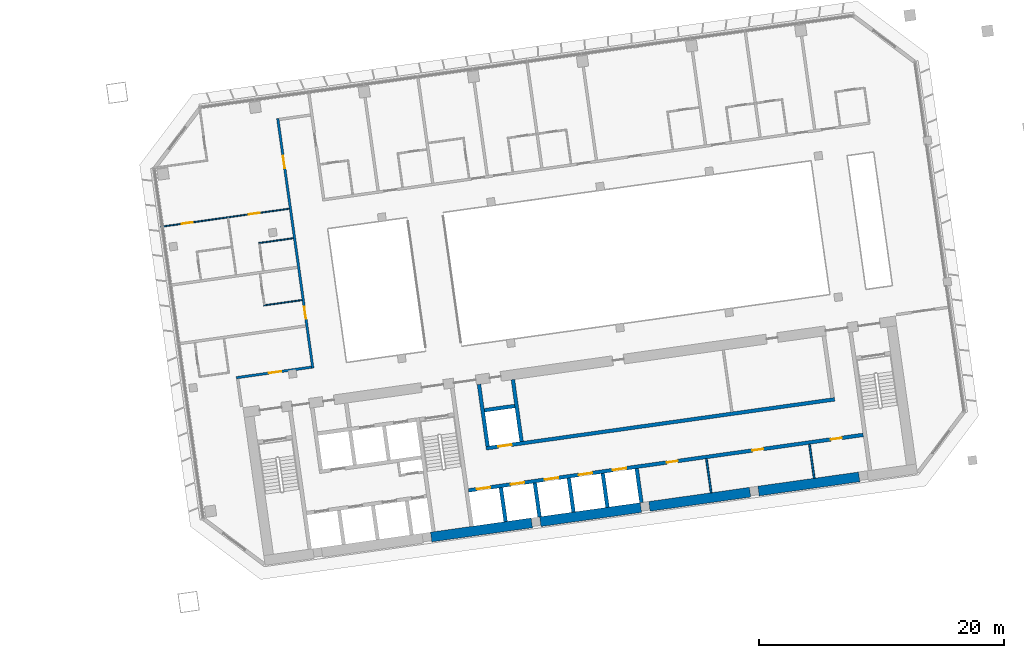
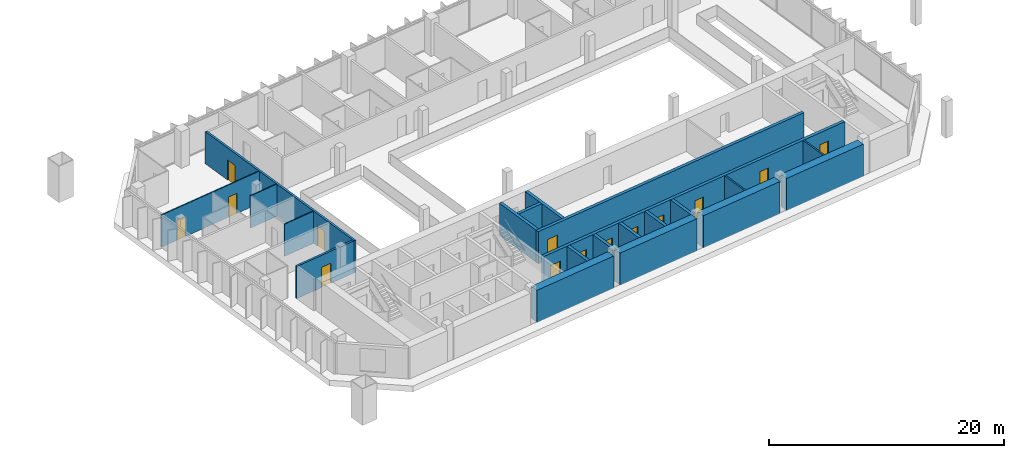
# One storey, part 21 of 26: 21 walls, 14 doors, 14 openings.
"""IFC4 building model written with IfcOpenShell, lengths in metres."""

from ifc_helpers import new_model, si_unit, direction, frame, frame_2d, origin, place, context, subcontext, project, spatial, rectangle, extrude, material, layer, layer_set, type_object, element, fill, save


model = new_model("IFC4")

# Units and contexts
model_context = context("Model", 3, precision=1e-05, world=origin(), true_north=direction((0.0, 1.0)))
body_context = subcontext(model_context, "Body", "Model", "MODEL_VIEW")
ifc_project = project(units=[si_unit("LENGTHUNIT", "METRE"), si_unit("AREAUNIT", "SQUARE_METRE"), si_unit("VOLUMEUNIT", "CUBIC_METRE"), si_unit("PLANEANGLEUNIT", "RADIAN"), si_unit("MASSUNIT", "GRAM", prefix="KILO")], contexts=[model_context])

# Site, building, storey
site_placement = place(None, origin())
site = spatial("IfcSite", under=ifc_project, at=site_placement, CompositionType="ELEMENT")
building_placement = place(site_placement, origin())
building = spatial("IfcBuilding", under=site, at=building_placement, Name="Mirante Cascada Hotel Towers", CompositionType="ELEMENT")
storey_placement = place(building_placement, frame((0.0, 0.0, 98.7)))
storey = spatial("IfcBuildingStorey", under=building, at=storey_placement, Name="L21", CompositionType="ELEMENT", Elevation=98.7)

# Wall, opening, door
ifc_material_1 = material(Name="Fire-rated plasterboard on metal studs")
ifc_layer_1 = layer(ifc_material_1, 0.2)
ifc_layer_set_1 = layer_set([ifc_layer_1], Name="Compartment wall 200 EI 120")
wall_type_1 = type_object("IfcWallType", Name="Compartment wall 200 EI 120", PredefinedType="PARTITIONING", material=ifc_layer_set_1)
wall_1_placement = place(storey_placement, frame((34.8304, -4.7545, 0.0), z_axis=(0.0, 0.0, 1.0), x_axis=(0.9902695, 0.1391629, 0.0)))
wall_1 = element("IfcWall", 1, at=wall_1_placement, inside=storey, type_object=wall_type_1, Name="Wall 2-L21-02", PredefinedType="PARTITIONING", context=body_context, shape_type="SweptSolid", body=[
    extrude(rectangle(XDim=6.1999, YDim=0.2, at=frame_2d((3.1, 0.0))), origin(), (0.0, 0.0, 1.0), 3.35),
])
opening_1_placement = place(wall_1_placement, frame((2.7, 0.0, 0.0)))
opening_1 = element("IfcOpeningElement", 2, at=opening_1_placement, cuts=wall_1, Name="Opening D2-L21-02", PredefinedType="OPENING", context=body_context, shape_type="SweptSolid", body=[
    extrude(rectangle(XDim=1.0, YDim=2.1, at=frame_2d((0.5, 1.05))), frame((0.0, 0.1, 0.0), z_axis=(0.0, -1.0, 0.0), x_axis=(1.0, 0.0, 0.0)), (0.0, 0.0, 1.0), 0.2),
])
ifc_material_2 = material(Name="Fire-rated timber door leaf", Category="wood")
door_type_1 = type_object("IfcDoorType", Name="Entrance door DG1 1000x2100 EI 60", OperationType="SINGLE_SWING_LEFT", PredefinedType="DOOR", material=ifc_material_2)
door_1_placement = place(opening_1_placement, frame((1.0, 0.0, 0.0), z_axis=(0.0, 0.0, 1.0), x_axis=(-1.0, 0.0, 0.0)))
door_1 = element("IfcDoor", 3, at=door_1_placement, inside=storey, type_object=door_type_1, Name="Door D2-L21-02", OperationType="SINGLE_SWING_RIGHT", OverallHeight=2.1, OverallWidth=1.0, PredefinedType="DOOR", context=body_context, shape_type="SweptSolid", body=[
    extrude(rectangle(XDim=1.0, YDim=2.1, at=frame_2d((0.5, 1.05))), frame((0.0, 0.025, 0.0), z_axis=(0.0, -1.0, 0.0), x_axis=(1.0, 0.0, 0.0)), (0.0, 0.0, 1.0), 0.05),
])
fill(opening_1, door_1)

# Wall, openings, doors
wall_2_placement = place(storey_placement, frame((41.083, -3.9768, 0.0), z_axis=(0.0, 0.0, 1.0), x_axis=(-0.1391749, 0.9902678, 0.0)))
wall_2 = element("IfcWall", 4, at=wall_2_placement, inside=storey, type_object=wall_type_1, Name="Wall 2-L21-28", PredefinedType="PARTITIONING", context=body_context, shape_type="SweptSolid", body=[
    extrude(rectangle(XDim=20.6, YDim=0.2, at=frame_2d((10.3, 0.0))), origin(), (0.0, 0.0, 1.0), 3.35),
])
opening_2_placement = place(wall_2_placement, frame((4.0667, 0.0, 0.0)))
opening_2 = element("IfcOpeningElement", 5, at=opening_2_placement, cuts=wall_2, Name="Opening D2-L21-26", PredefinedType="OPENING", context=body_context, shape_type="SweptSolid", body=[
    extrude(rectangle(XDim=1.0, YDim=2.1, at=frame_2d((0.5, 1.05))), frame((0.0, 0.1, 0.0), z_axis=(0.0, -1.0, 0.0), x_axis=(1.0, 0.0, 0.0)), (0.0, 0.0, 1.0), 0.2),
])
opening_3_placement = place(wall_2_placement, frame((16.5, 0.0, 0.0)))
opening_3 = element("IfcOpeningElement", 6, at=opening_3_placement, cuts=wall_2, Name="Opening D2-L21-27", PredefinedType="OPENING", context=body_context, shape_type="SweptSolid", body=[
    extrude(rectangle(XDim=1.0, YDim=2.1, at=frame_2d((0.5, 1.05))), frame((0.0, 0.1, 0.0), z_axis=(0.0, -1.0, 0.0), x_axis=(1.0, 0.0, 0.0)), (0.0, 0.0, 1.0), 0.2),
])
door_2_placement = place(opening_2_placement, origin())
door_2 = element("IfcDoor", 7, at=door_2_placement, inside=storey, type_object=door_type_1, Name="Door D2-L21-26", OperationType="SINGLE_SWING_LEFT", OverallHeight=2.1, OverallWidth=1.0, PredefinedType="DOOR", context=body_context, shape_type="SweptSolid", body=[
    extrude(rectangle(XDim=1.0, YDim=2.1, at=frame_2d((0.5, 1.05))), frame((0.0, 0.025, 0.0), z_axis=(0.0, -1.0, 0.0), x_axis=(1.0, 0.0, 0.0)), (0.0, 0.0, 1.0), 0.05),
])
fill(opening_2, door_2)
door_3_placement = place(opening_3_placement, origin())
door_3 = element("IfcDoor", 8, at=door_3_placement, inside=storey, type_object=door_type_1, Name="Door D2-L21-27", OperationType="SINGLE_SWING_LEFT", OverallHeight=2.1, OverallWidth=1.0, PredefinedType="DOOR", context=body_context, shape_type="SweptSolid", body=[
    extrude(rectangle(XDim=1.0, YDim=2.1, at=frame_2d((0.5, 1.05))), frame((0.0, 0.025, 0.0), z_axis=(0.0, -1.0, 0.0), x_axis=(1.0, 0.0, 0.0)), (0.0, 0.0, 1.0), 0.05),
])
fill(opening_3, door_3)

# Walls
ifc_material_3 = material(Name="Masonry block", Category="masonry")
ifc_layer_2 = layer(ifc_material_3, 0.15)
ifc_layer_set_2 = layer_set([ifc_layer_2], Name="Core room partition 150 block EI 30")
wall_type_2 = type_object("IfcWallType", Name="Core room partition 150 block EI 30", PredefinedType="PARTITIONING", material=ifc_layer_set_2)
wall_3_placement = place(storey_placement, frame((73.6152, -14.1482, 0.0), z_axis=(0.0, 0.0, 1.0), x_axis=(-0.139176, 0.9902677, 0.0)))
element("IfcWall", 9, at=wall_3_placement, inside=storey, type_object=wall_type_2, Name="Core wall partition T2 L21 4", PredefinedType="PARTITIONING", context=body_context, shape_type="SweptSolid", body=[
    extrude(rectangle(XDim=2.8001, YDim=0.15, at=frame_2d((1.4, 0.0))), origin(), (0.0, 0.0, 1.0), 3.35),
])
wall_4_placement = place(storey_placement, frame((82.0324, -12.9652, 0.0), z_axis=(0.0, 0.0, 1.0), x_axis=(-0.139141, 0.9902726, 0.0)))
element("IfcWall", 10, at=wall_4_placement, inside=storey, type_object=wall_type_2, Name="Core wall partition T2 L21 5", PredefinedType="PARTITIONING", context=body_context, shape_type="SweptSolid", body=[
    extrude(rectangle(XDim=2.8, YDim=0.15, at=frame_2d((1.4, 0.0))), origin(), (0.0, 0.0, 1.0), 3.35),
])
ifc_material_4 = material(Name="Plasterboard on metal studs")
ifc_layer_3 = layer(ifc_material_4, 0.1)
ifc_layer_set_3 = layer_set([ifc_layer_3], Name="Partition 100")
wall_type_3 = type_object("IfcWallType", Name="Partition 100", PredefinedType="PARTITIONING", material=ifc_layer_set_3)
wall_5_placement = place(storey_placement, frame((40.1999, 1.5878, 0.0), z_axis=(0.0, 0.0, 1.0), x_axis=(-0.9902676, -0.1391765, 0.0)))
element("IfcWall", 11, at=wall_5_placement, inside=storey, type_object=wall_type_3, Name="Wall 2-L21-05", PredefinedType="PARTITIONING", context=body_context, shape_type="SweptSolid", body=[
    extrude(rectangle(XDim=3.15, YDim=0.1, at=frame_2d((1.575, 0.0))), origin(), (0.0, 0.0, 1.0), 3.35),
])
wall_6_placement = place(storey_placement, frame((36.6679, 6.2415, 0.0), z_axis=(0.0, 0.0, 1.0), x_axis=(0.9902704, 0.1391564, 0.0)))
element("IfcWall", 12, at=wall_6_placement, inside=storey, type_object=wall_type_3, Name="Wall 2-L21-08", PredefinedType="PARTITIONING", context=body_context, shape_type="SweptSolid", body=[
    extrude(rectangle(XDim=2.85, YDim=0.1, at=frame_2d((1.425, 0.0))), origin(), (0.0, 0.0, 1.0), 3.35),
])

# Wall, openings, doors
wall_7_placement = place(storey_placement, frame((39.1515, 9.0479, 0.0), z_axis=(0.0, 0.0, 1.0), x_axis=(-0.9902671, -0.1391797, 0.0)))
wall_7 = element("IfcWall", 13, at=wall_7_placement, inside=storey, type_object=wall_type_3, Name="Wall 2-L21-09", PredefinedType="PARTITIONING", context=body_context, shape_type="SweptSolid", body=[
    extrude(rectangle(XDim=10.6, YDim=0.1, at=frame_2d((5.3, 0.0))), origin(), (0.0, 0.0, 1.0), 3.35),
])
opening_4_placement = place(wall_7_placement, frame((7.975, 0.0, 0.0)))
opening_4 = element("IfcOpeningElement", 14, at=opening_4_placement, cuts=wall_7, Name="Opening D2-L21-03", PredefinedType="OPENING", context=body_context, shape_type="SweptSolid", body=[
    extrude(rectangle(XDim=0.9, YDim=2.1, at=frame_2d((0.45, 1.05))), frame((0.0, 0.05, 0.0), z_axis=(0.0, -1.0, 0.0), x_axis=(1.0, 0.0, 0.0)), (0.0, 0.0, 1.0), 0.1),
])
opening_5_placement = place(wall_7_placement, frame((2.425, 0.0, 0.0)))
opening_5 = element("IfcOpeningElement", 15, at=opening_5_placement, cuts=wall_7, Name="Opening D2-L21-04", PredefinedType="OPENING", context=body_context, shape_type="SweptSolid", body=[
    extrude(rectangle(XDim=0.9, YDim=2.1, at=frame_2d((0.45, 1.05))), frame((0.0, 0.05, 0.0), z_axis=(0.0, -1.0, 0.0), x_axis=(1.0, 0.0, 0.0)), (0.0, 0.0, 1.0), 0.1),
])
ifc_material_5 = material(Name="Timber door leaf", Category="wood")
door_type_2 = type_object("IfcDoorType", Name="Room door DG3 900x2100", OperationType="SINGLE_SWING_LEFT", PredefinedType="DOOR", material=ifc_material_5)
door_4_placement = place(opening_4_placement, frame((0.9, 0.0, 0.0), z_axis=(0.0, 0.0, 1.0), x_axis=(-1.0, 0.0, 0.0)))
door_4 = element("IfcDoor", 16, at=door_4_placement, inside=storey, type_object=door_type_2, Name="Door D2-L21-03", OperationType="SINGLE_SWING_RIGHT", OverallHeight=2.1, OverallWidth=0.9, PredefinedType="DOOR", context=body_context, shape_type="SweptSolid", body=[
    extrude(rectangle(XDim=0.9, YDim=2.1, at=frame_2d((0.45, 1.05))), frame((0.0, 0.025, 0.0), z_axis=(0.0, -1.0, 0.0), x_axis=(1.0, 0.0, 0.0)), (0.0, 0.0, 1.0), 0.05),
])
fill(opening_4, door_4)
door_5_placement = place(opening_5_placement, frame((0.9, 0.0, 0.0), z_axis=(0.0, 0.0, 1.0), x_axis=(-1.0, 0.0, 0.0)))
door_5 = element("IfcDoor", 17, at=door_5_placement, inside=storey, type_object=door_type_2, Name="Door D2-L21-04", OperationType="SINGLE_SWING_RIGHT", OverallHeight=2.1, OverallWidth=0.9, PredefinedType="DOOR", context=body_context, shape_type="SweptSolid", body=[
    extrude(rectangle(XDim=0.9, YDim=2.1, at=frame_2d((0.45, 1.05))), frame((0.0, 0.025, 0.0), z_axis=(0.0, -1.0, 0.0), x_axis=(1.0, 0.0, 0.0)), (0.0, 0.0, 1.0), 0.05),
])
fill(opening_5, door_5)

ifc_material_6 = material(Name="Concrete C50/60", Category="concrete")
ifc_layer_4 = layer(ifc_material_6, 0.3)
ifc_layer_set_4 = layer_set([ifc_layer_4], Name="RC core wall 300 C50/60")
wall_type_4 = type_object("IfcWallType", Name="RC core wall 300 C50/60", PredefinedType="SHEAR", material=ifc_layer_set_4)
wall_8_placement = place(storey_placement, frame((53.7953, -13.9547, 0.0), z_axis=(0.0, 0.0, 1.0), x_axis=(0.990268, 0.1391733, 0.0)))
wall_8 = element("IfcWall", 18, at=wall_8_placement, inside=storey, type_object=wall_type_4, Name="Core wall T2:L21:24", PredefinedType="SHEAR", context=body_context, shape_type="SweptSolid", body=[
    extrude(rectangle(XDim=32.5501, YDim=0.3, at=frame_2d((16.275, 0.0))), origin(), (0.0, 0.0, 1.0), 3.35),
])
opening_6_placement = place(wall_8_placement, frame((0.7, 0.0, 0.0)))
opening_6 = element("IfcOpeningElement", 19, at=opening_6_placement, cuts=wall_8, Name="Opening LD", PredefinedType="OPENING", context=body_context, shape_type="SweptSolid", body=[
    extrude(rectangle(XDim=1.1, YDim=2.1, at=frame_2d((0.55, 1.05))), frame((0.0, 0.15, 0.0), z_axis=(0.0, -1.0, 0.0), x_axis=(1.0, 0.0, 0.0)), (0.0, 0.0, 1.0), 0.3),
])
opening_7_placement = place(wall_8_placement, frame((3.5, 0.0, 0.0)))
opening_7 = element("IfcOpeningElement", 20, at=opening_7_placement, cuts=wall_8, Name="Opening LD", PredefinedType="OPENING", context=body_context, shape_type="SweptSolid", body=[
    extrude(rectangle(XDim=1.1, YDim=2.1, at=frame_2d((0.55, 1.05))), frame((0.0, 0.15, 0.0), z_axis=(0.0, -1.0, 0.0), x_axis=(1.0, 0.0, 0.0)), (0.0, 0.0, 1.0), 0.3),
])
opening_8_placement = place(wall_8_placement, frame((6.3, 0.0, 0.0)))
opening_8 = element("IfcOpeningElement", 21, at=opening_8_placement, cuts=wall_8, Name="Opening LD", PredefinedType="OPENING", context=body_context, shape_type="SweptSolid", body=[
    extrude(rectangle(XDim=1.1, YDim=2.1, at=frame_2d((0.55, 1.05))), frame((0.0, 0.15, 0.0), z_axis=(0.0, -1.0, 0.0), x_axis=(1.0, 0.0, 0.0)), (0.0, 0.0, 1.0), 0.3),
])
opening_9_placement = place(wall_8_placement, frame((9.1, 0.0, 0.0)))
opening_9 = element("IfcOpeningElement", 22, at=opening_9_placement, cuts=wall_8, Name="Opening LD", PredefinedType="OPENING", context=body_context, shape_type="SweptSolid", body=[
    extrude(rectangle(XDim=1.1, YDim=2.1, at=frame_2d((0.55, 1.05))), frame((0.0, 0.15, 0.0), z_axis=(0.0, -1.0, 0.0), x_axis=(1.0, 0.0, 0.0)), (0.0, 0.0, 1.0), 0.3),
])
opening_10_placement = place(wall_8_placement, frame((11.9, 0.0, 0.0)))
opening_10 = element("IfcOpeningElement", 23, at=opening_10_placement, cuts=wall_8, Name="Opening LD", PredefinedType="OPENING", context=body_context, shape_type="SweptSolid", body=[
    extrude(rectangle(XDim=1.1, YDim=2.1, at=frame_2d((0.55, 1.05))), frame((0.0, 0.15, 0.0), z_axis=(0.0, -1.0, 0.0), x_axis=(1.0, 0.0, 0.0)), (0.0, 0.0, 1.0), 0.3),
])
opening_11_placement = place(wall_8_placement, frame((16.35, 0.0, 0.0)))
opening_11 = element("IfcOpeningElement", 24, at=opening_11_placement, cuts=wall_8, Name="Opening D2-21-C25", PredefinedType="OPENING", context=body_context, shape_type="SweptSolid", body=[
    extrude(rectangle(XDim=0.9, YDim=2.1, at=frame_2d((0.45, 1.05))), frame((0.0, 0.15, 0.0), z_axis=(0.0, -1.0, 0.0), x_axis=(1.0, 0.0, 0.0)), (0.0, 0.0, 1.0), 0.3),
])
opening_12_placement = place(wall_8_placement, frame((23.4, 0.0, 0.0)))
opening_12 = element("IfcOpeningElement", 25, at=opening_12_placement, cuts=wall_8, Name="Opening D2-21-C26", PredefinedType="OPENING", context=body_context, shape_type="SweptSolid", body=[
    extrude(rectangle(XDim=0.9, YDim=2.1, at=frame_2d((0.45, 1.05))), frame((0.0, 0.15, 0.0), z_axis=(0.0, -1.0, 0.0), x_axis=(1.0, 0.0, 0.0)), (0.0, 0.0, 1.0), 0.3),
])
opening_13_placement = place(wall_8_placement, frame((29.875, 0.0, 0.0)))
opening_13 = element("IfcOpeningElement", 26, at=opening_13_placement, cuts=wall_8, Name="Opening D2-21-C27", PredefinedType="OPENING", context=body_context, shape_type="SweptSolid", body=[
    extrude(rectangle(XDim=0.9, YDim=2.1, at=frame_2d((0.45, 1.05))), frame((0.0, 0.15, 0.0), z_axis=(0.0, -1.0, 0.0), x_axis=(1.0, 0.0, 0.0)), (0.0, 0.0, 1.0), 0.3),
])
ifc_material_7 = material(Name="Hollow metal fire door leaf")
door_type_3 = type_object("IfcDoorType", Name="Fire door 900x2100 FD60", OperationType="NOTDEFINED", PredefinedType="DOOR", material=ifc_material_7)
door_6_placement = place(opening_11_placement, frame((0.9, 0.0, 0.0), z_axis=(0.0, 0.0, 1.0), x_axis=(-1.0, 0.0, 0.0)))
door_6 = element("IfcDoor", 27, at=door_6_placement, inside=storey, type_object=door_type_3, Name="Room door T2 L21 25", OperationType="SINGLE_SWING_RIGHT", OverallHeight=2.1, OverallWidth=0.9, PredefinedType="DOOR", context=body_context, shape_type="SweptSolid", body=[
    extrude(rectangle(XDim=0.9, YDim=2.1, at=frame_2d((0.45, 1.05))), frame((0.0, 0.025, 0.0), z_axis=(0.0, -1.0, 0.0), x_axis=(1.0, 0.0, 0.0)), (0.0, 0.0, 1.0), 0.05),
])
fill(opening_11, door_6)
door_7_placement = place(opening_12_placement, frame((0.9, 0.0, 0.0), z_axis=(0.0, 0.0, 1.0), x_axis=(-1.0, 0.0, 0.0)))
door_7 = element("IfcDoor", 28, at=door_7_placement, inside=storey, type_object=door_type_3, Name="Room door T2 L21 26", OperationType="SINGLE_SWING_RIGHT", OverallHeight=2.1, OverallWidth=0.9, PredefinedType="DOOR", context=body_context, shape_type="SweptSolid", body=[
    extrude(rectangle(XDim=0.9, YDim=2.1, at=frame_2d((0.45, 1.05))), frame((0.0, 0.025, 0.0), z_axis=(0.0, -1.0, 0.0), x_axis=(1.0, 0.0, 0.0)), (0.0, 0.0, 1.0), 0.05),
])
fill(opening_12, door_7)
door_8_placement = place(opening_13_placement, frame((0.9, 0.0, 0.0), z_axis=(0.0, 0.0, 1.0), x_axis=(-1.0, 0.0, 0.0)))
door_8 = element("IfcDoor", 29, at=door_8_placement, inside=storey, type_object=door_type_3, Name="Room door T2 L21 27", OperationType="SINGLE_SWING_RIGHT", OverallHeight=2.1, OverallWidth=0.9, PredefinedType="DOOR", context=body_context, shape_type="SweptSolid", body=[
    extrude(rectangle(XDim=0.9, YDim=2.1, at=frame_2d((0.45, 1.05))), frame((0.0, 0.025, 0.0), z_axis=(0.0, -1.0, 0.0), x_axis=(1.0, 0.0, 0.0)), (0.0, 0.0, 1.0), 0.05),
])
fill(opening_13, door_8)
ifc_material_8 = material(Name="Stainless steel", Category="steel")
door_type_4 = type_object("IfcDoorType", Name="Lift landing door 1100x2100 EI 120", OperationType="DOUBLE_DOOR_SLIDING", PredefinedType="DOOR", material=ifc_material_8)
door_9_placement = place(opening_6_placement, origin())
door_9 = element("IfcDoor", 30, at=door_9_placement, inside=storey, type_object=door_type_4, Name="Lift landing door LR2-1 L21", OperationType="DOUBLE_DOOR_SLIDING", OverallHeight=2.1, OverallWidth=1.1, PredefinedType="DOOR", context=body_context, shape_type="SweptSolid", body=[
    extrude(rectangle(XDim=0.545, YDim=2.1, at=frame_2d((0.2725, 1.05))), frame((0.0, 0.025, 0.0), z_axis=(0.0, -1.0, 0.0), x_axis=(1.0, 0.0, 0.0)), (0.0, 0.0, 1.0), 0.05),
    extrude(rectangle(XDim=0.545, YDim=2.1, at=frame_2d((0.8275, 1.05))), frame((0.0, 0.025, 0.0), z_axis=(0.0, -1.0, 0.0), x_axis=(1.0, 0.0, 0.0)), (0.0, 0.0, 1.0), 0.05),
])
fill(opening_6, door_9)
door_10_placement = place(opening_7_placement, origin())
door_10 = element("IfcDoor", 31, at=door_10_placement, inside=storey, type_object=door_type_4, Name="Lift landing door LR2-2 L21", OperationType="DOUBLE_DOOR_SLIDING", OverallHeight=2.1, OverallWidth=1.1, PredefinedType="DOOR", context=body_context, shape_type="SweptSolid", body=[
    extrude(rectangle(XDim=0.545, YDim=2.1, at=frame_2d((0.2725, 1.05))), frame((0.0, 0.025, 0.0), z_axis=(0.0, -1.0, 0.0), x_axis=(1.0, 0.0, 0.0)), (0.0, 0.0, 1.0), 0.05),
    extrude(rectangle(XDim=0.545, YDim=2.1, at=frame_2d((0.8275, 1.05))), frame((0.0, 0.025, 0.0), z_axis=(0.0, -1.0, 0.0), x_axis=(1.0, 0.0, 0.0)), (0.0, 0.0, 1.0), 0.05),
])
fill(opening_7, door_10)
door_11_placement = place(opening_8_placement, origin())
door_11 = element("IfcDoor", 32, at=door_11_placement, inside=storey, type_object=door_type_4, Name="Lift landing door SV2-1 L21", OperationType="DOUBLE_DOOR_SLIDING", OverallHeight=2.1, OverallWidth=1.1, PredefinedType="DOOR", context=body_context, shape_type="SweptSolid", body=[
    extrude(rectangle(XDim=0.545, YDim=2.1, at=frame_2d((0.2725, 1.05))), frame((0.0, 0.025, 0.0), z_axis=(0.0, -1.0, 0.0), x_axis=(1.0, 0.0, 0.0)), (0.0, 0.0, 1.0), 0.05),
    extrude(rectangle(XDim=0.545, YDim=2.1, at=frame_2d((0.8275, 1.05))), frame((0.0, 0.025, 0.0), z_axis=(0.0, -1.0, 0.0), x_axis=(1.0, 0.0, 0.0)), (0.0, 0.0, 1.0), 0.05),
])
fill(opening_8, door_11)
door_12_placement = place(opening_9_placement, origin())
door_12 = element("IfcDoor", 33, at=door_12_placement, inside=storey, type_object=door_type_4, Name="Lift landing door SV2-2 L21", OperationType="DOUBLE_DOOR_SLIDING", OverallHeight=2.1, OverallWidth=1.1, PredefinedType="DOOR", context=body_context, shape_type="SweptSolid", body=[
    extrude(rectangle(XDim=0.545, YDim=2.1, at=frame_2d((0.2725, 1.05))), frame((0.0, 0.025, 0.0), z_axis=(0.0, -1.0, 0.0), x_axis=(1.0, 0.0, 0.0)), (0.0, 0.0, 1.0), 0.05),
    extrude(rectangle(XDim=0.545, YDim=2.1, at=frame_2d((0.8275, 1.05))), frame((0.0, 0.025, 0.0), z_axis=(0.0, -1.0, 0.0), x_axis=(1.0, 0.0, 0.0)), (0.0, 0.0, 1.0), 0.05),
])
fill(opening_9, door_12)
door_13_placement = place(opening_10_placement, origin())
door_13 = element("IfcDoor", 34, at=door_13_placement, inside=storey, type_object=door_type_4, Name="Lift landing door SV2-3 L21", OperationType="DOUBLE_DOOR_SLIDING", OverallHeight=2.1, OverallWidth=1.1, PredefinedType="DOOR", context=body_context, shape_type="SweptSolid", body=[
    extrude(rectangle(XDim=0.545, YDim=2.1, at=frame_2d((0.2725, 1.05))), frame((0.0, 0.025, 0.0), z_axis=(0.0, -1.0, 0.0), x_axis=(1.0, 0.0, 0.0)), (0.0, 0.0, 1.0), 0.05),
    extrude(rectangle(XDim=0.545, YDim=2.1, at=frame_2d((0.8275, 1.05))), frame((0.0, 0.025, 0.0), z_axis=(0.0, -1.0, 0.0), x_axis=(1.0, 0.0, 0.0)), (0.0, 0.0, 1.0), 0.05),
])
fill(opening_10, door_13)

# Walls
for number, where, z_axis, x_axis, name in (
    (35, (56.8301, -16.5072, 0.0), (0.0, 0.0, 1.0), (-0.139176, 0.9902677, 0.0), "Core wall T2:L21:25"),
    (36, (59.6029, -16.1175, 0.0), (0.0, 0.0, 1.0), (-0.139176, 0.9902677, 0.0), "Core wall T2:L21:26"),
    (37, (62.3756, -15.7278, 0.0), (0.0, 0.0, 1.0), (-0.139176, 0.9902677, 0.0), "Core wall T2:L21:27"),
    (38, (65.1484, -15.3381, 0.0), (0.0, 0.0, 1.0), (-0.139176, 0.9902677, 0.0), "Core wall T2:L21:28"),
):
    element("IfcWall", number, at=place(storey_placement, frame(where, z_axis=z_axis, x_axis=x_axis)), inside=storey, type_object=wall_type_4, Name=name, PredefinedType="SHEAR", context=body_context, shape_type="SweptSolid", body=[
        extrude(rectangle(XDim=2.8001, YDim=0.3, at=frame_2d((1.4, 0.0))), origin(), (0.0, 0.0, 1.0), 3.35),
    ])
wall_9_placement = place(storey_placement, frame((67.9211, -14.9484, 0.0), z_axis=(0.0, 0.0, 1.0), x_axis=(-0.139181, 0.990267, 0.0)))
element("IfcWall", 39, at=wall_9_placement, inside=storey, type_object=wall_type_4, Name="Core wall T2:L21:29", PredefinedType="SHEAR", context=body_context, shape_type="SweptSolid", body=[
    extrude(rectangle(XDim=2.8, YDim=0.3, at=frame_2d((1.4, 0.0))), origin(), (0.0, 0.0, 1.0), 3.35),
])

# Wall, opening, door
wall_10_placement = place(storey_placement, frame((55.2315, -10.5214, 0.0), z_axis=(0.0, 0.0, 1.0), x_axis=(0.9902682, 0.1391722, 0.0)))
wall_10 = element("IfcWall", 40, at=wall_10_placement, inside=storey, type_object=wall_type_4, Name="Core wall T2:L21:32", PredefinedType="SHEAR", context=body_context, shape_type="SweptSolid", body=[
    extrude(rectangle(XDim=28.75, YDim=0.3, at=frame_2d((14.375, 0.0))), origin(), (0.0, 0.0, 1.0), 3.35),
])
opening_14_placement = place(wall_10_placement, frame((1.0, 0.0, 0.0)))
opening_14 = element("IfcOpeningElement", 41, at=opening_14_placement, cuts=wall_10, Name="Opening LD", PredefinedType="OPENING", context=body_context, shape_type="SweptSolid", body=[
    extrude(rectangle(XDim=1.1, YDim=2.1, at=frame_2d((0.55, 1.05))), frame((0.0, 0.15, 0.0), z_axis=(0.0, -1.0, 0.0), x_axis=(1.0, 0.0, 0.0)), (0.0, 0.0, 1.0), 0.3),
])
door_14_placement = place(opening_14_placement, origin())
door_14 = element("IfcDoor", 42, at=door_14_placement, inside=storey, type_object=door_type_4, Name="Lift landing door LR2-3 L21", OperationType="DOUBLE_DOOR_SLIDING", OverallHeight=2.1, OverallWidth=1.1, PredefinedType="DOOR", context=body_context, shape_type="SweptSolid", body=[
    extrude(rectangle(XDim=0.545, YDim=2.1, at=frame_2d((0.2725, 1.05))), frame((0.0, 0.025, 0.0), z_axis=(0.0, -1.0, 0.0), x_axis=(1.0, 0.0, 0.0)), (0.0, 0.0, 1.0), 0.05),
    extrude(rectangle(XDim=0.545, YDim=2.1, at=frame_2d((0.8275, 1.05))), frame((0.0, 0.025, 0.0), z_axis=(0.0, -1.0, 0.0), x_axis=(1.0, 0.0, 0.0)), (0.0, 0.0, 1.0), 0.05),
])
fill(opening_14, door_14)

# Walls
for number, where, z_axis, x_axis, name in (
    (43, (55.3592, -10.352, 0.0), (0.0, 0.0, 1.0), (-0.1391755, 0.9902677, 0.0), "Core wall T2:L21:33"),
    (44, (58.1319, -9.9623, 0.0), (0.0, 0.0, 1.0), (-0.1391755, 0.9902677, 0.0), "Core wall T2:L21:35"),
):
    element("IfcWall", number, at=place(storey_placement, frame(where, z_axis=z_axis, x_axis=x_axis)), inside=storey, type_object=wall_type_4, Name=name, PredefinedType="SHEAR", context=body_context, shape_type="SweptSolid", body=[
        extrude(rectangle(XDim=5.1, YDim=0.3, at=frame_2d((2.55, 0.0))), origin(), (0.0, 0.0, 1.0), 3.35),
    ])
wall_11_placement = place(storey_placement, frame((55.0971, -7.4098, 0.0), z_axis=(0.0, 0.0, 1.0), x_axis=(0.9902701, 0.1391586, 0.0)))
element("IfcWall", 45, at=wall_11_placement, inside=storey, type_object=wall_type_4, Name="Core wall T2:L21:36", PredefinedType="SHEAR", context=body_context, shape_type="SweptSolid", body=[
    extrude(rectangle(XDim=2.5, YDim=0.3, at=frame_2d((1.25, 0.0))), origin(), (0.0, 0.0, 1.0), 3.35),
])
ifc_material_9 = material(Name="Concrete C50/60", Category="concrete")
ifc_layer_5 = layer(ifc_material_9, 0.8)
ifc_layer_set_5 = layer_set([ifc_layer_5], Name="RC core wall 800 C50/60")
wall_type_5 = type_object("IfcWallType", Name="RC core wall 800 C50/60", PredefinedType="SHEAR", material=ifc_layer_set_5)
wall_12_placement = place(storey_placement, frame((50.7461, -17.7661, 0.0), z_axis=(0.0, 0.0, 1.0), x_axis=(0.9902686, 0.1391692, 0.0)))
element("IfcWall", 46, at=wall_12_placement, inside=storey, type_object=wall_type_5, Name="Core wall T2:L21:1.3", PredefinedType="SHEAR", context=body_context, shape_type="SweptSolid", body=[
    extrude(rectangle(XDim=8.3, YDim=0.8, at=frame_2d((4.15, 0.0))), origin(), (0.0, 0.0, 1.0), 3.35),
])
for number, where, z_axis, x_axis, name in (
    (47, (59.6585, -16.5136, 0.0), (0.0, 0.0, 1.0), (0.9902672, 0.1391793, 0.0), "Core wall T2:L21:1.4"),
    (48, (68.5709, -15.261, 0.0), (0.0, 0.0, 1.0), (0.9902689, 0.1391675, 0.0), "Core wall T2:L21:1.5"),
):
    element("IfcWall", number, at=place(storey_placement, frame(where, z_axis=z_axis, x_axis=x_axis)), inside=storey, type_object=wall_type_5, Name=name, PredefinedType="SHEAR", context=body_context, shape_type="SweptSolid", body=[
        extrude(rectangle(XDim=8.3001, YDim=0.8, at=frame_2d((4.15, 0.0))), origin(), (0.0, 0.0, 1.0), 3.35),
    ])
wall_13_placement = place(storey_placement, frame((77.4834, -14.0085, 0.0), z_axis=(0.0, 0.0, 1.0), x_axis=(0.990267, 0.139181, 0.0)))
element("IfcWall", 49, at=wall_13_placement, inside=storey, type_object=wall_type_5, Name="Core wall T2:L21:1.6", PredefinedType="SHEAR", context=body_context, shape_type="SweptSolid", body=[
    extrude(rectangle(XDim=8.3, YDim=0.8, at=frame_2d((4.15, 0.0))), origin(), (0.0, 0.0, 1.0), 3.35),
])

save(model, "model.ifc")
